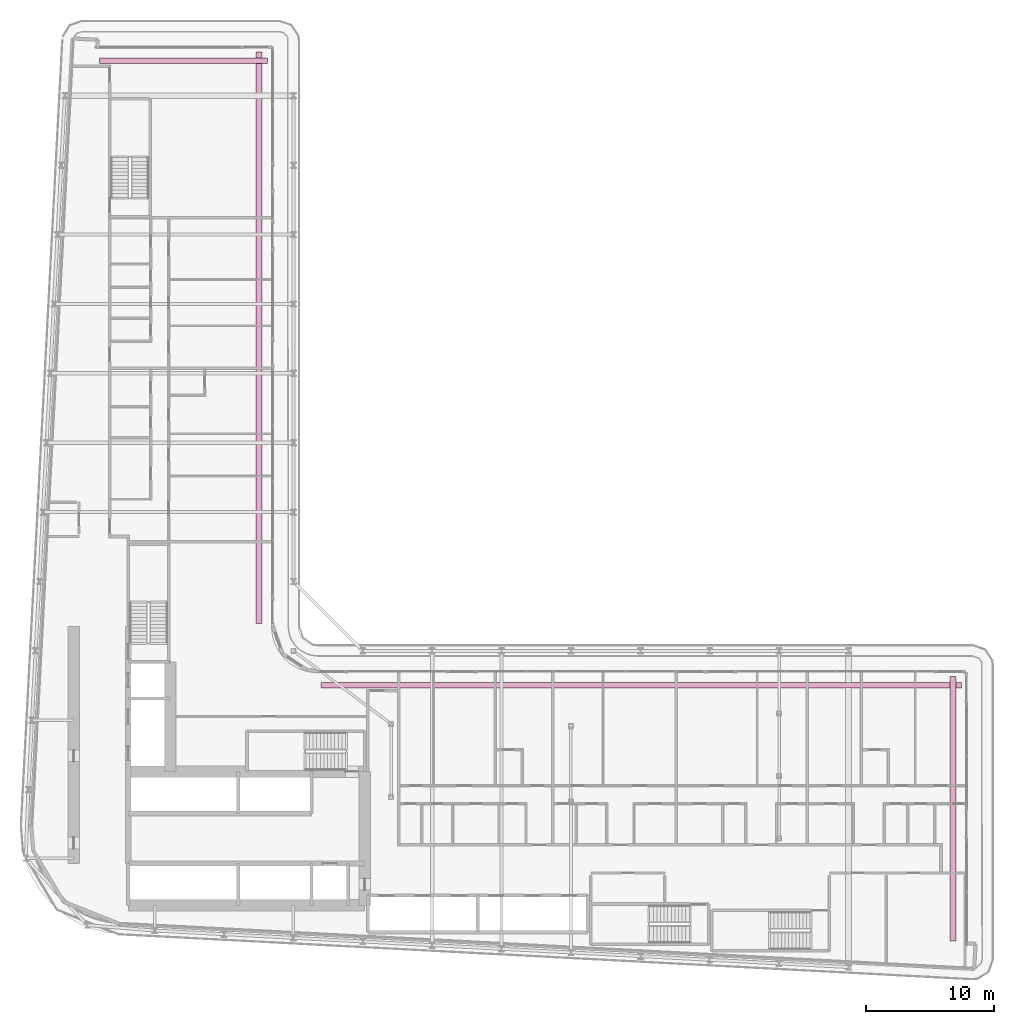
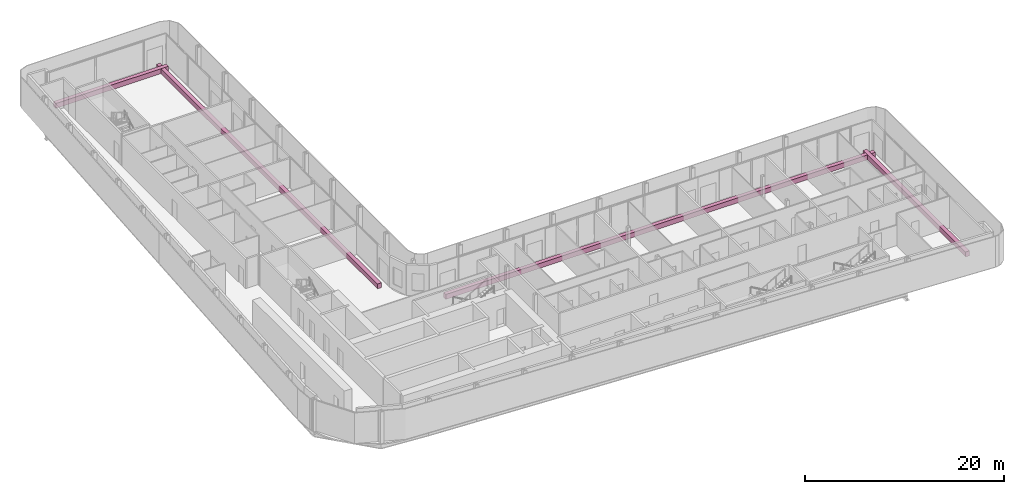
# One storey, part 26 of 26: 4 furniture elements.
"""IFC4 building model written with IfcOpenShell, lengths in metres."""

from ifc_helpers import new_model, si_unit, direction, frame, origin, origin_2d, place, context, subcontext, project, spatial, rectangle, extrude, material, type_object, element, save


model = new_model("IFC4")

# Units and contexts
model_context = context("Model", 3, precision=1e-05, world=origin(), true_north=direction((0.0, 1.0)))
body_context = subcontext(model_context, "Body", "Model", "MODEL_VIEW")
ifc_project = project(units=[si_unit("LENGTHUNIT", "METRE"), si_unit("AREAUNIT", "SQUARE_METRE"), si_unit("VOLUMEUNIT", "CUBIC_METRE"), si_unit("PLANEANGLEUNIT", "RADIAN"), si_unit("MASSUNIT", "GRAM", prefix="KILO")], contexts=[model_context])

# Site, building, storey
site_placement = place(None, origin())
site = spatial("IfcSite", under=ifc_project, at=site_placement, CompositionType="ELEMENT")
building_placement = place(site_placement, origin())
building = spatial("IfcBuilding", under=site, at=building_placement, Name="Kheshtan School and Residences Tower", CompositionType="ELEMENT")
storey_placement = place(building_placement, frame((0.0, 0.0, 105.800048828125)))
storey = spatial("IfcBuildingStorey", under=building, at=storey_placement, Name="L24", CompositionType="ELEMENT", Elevation=105.800048828125)

# Furniture
ifc_material = material(Name="Precast concrete C30/37 in terracotta finish", Category="masonry")
furniture_type = type_object("IfcFurnitureType", Name="Planter trough", AssemblyPlace="NOTDEFINED", PredefinedType="USERDEFINED", material=ifc_material)
furniture_1_placement = place(storey_placement, frame((39.053955078125, 91.52490234375, 0.0), z_axis=(0.0, 0.0, 1.0), x_axis=(1.0, 0.0, 0.0)))
element("IfcFurniture", 1, at=furniture_1_placement, inside=storey, type_object=furniture_type, Name="Planter L24", ObjectType="PLANTER", PredefinedType="USERDEFINED", context=body_context, shape_type="SweptSolid", body=[
    extrude(rectangle(XDim=13.092041015625, YDim=0.449951171875, at=origin_2d()), origin(), (0.0, 0.0, 1.0), 0.60009765625),
])
furniture_2_placement = place(storey_placement, frame((44.925048828125, 69.965087890625, 0.0), z_axis=(0.0, 0.0, 1.0), x_axis=(0.0, -1.0, 0.0)))
element("IfcFurniture", 2, at=furniture_2_placement, inside=storey, type_object=furniture_type, Name="Planter L24", ObjectType="PLANTER", PredefinedType="USERDEFINED", context=body_context, shape_type="SweptSolid", body=[
    extrude(rectangle(XDim=44.469970703125, YDim=0.449951171875, at=origin_2d()), origin(), (0.0, 0.0, 1.0), 0.60009765625),
])
furniture_3_placement = place(storey_placement, frame((74.6650390625, 42.925048828125, 0.0), z_axis=(0.0, 0.0, 1.0), x_axis=(1.0, 0.0, 0.0)))
element("IfcFurniture", 3, at=furniture_3_placement, inside=storey, type_object=furniture_type, Name="Planter L24", ObjectType="PLANTER", PredefinedType="USERDEFINED", context=body_context, shape_type="SweptSolid", body=[
    extrude(rectangle(XDim=49.8701171875, YDim=0.449951171875, at=origin_2d()), origin(), (0.0, 0.0, 1.0), 0.60009765625),
])
furniture_4_placement = place(storey_placement, frame((98.925048828125, 33.306884765625, 0.0), z_axis=(0.0, 0.0, 1.0), x_axis=(0.0, -1.0, 0.0)))
element("IfcFurniture", 4, at=furniture_4_placement, inside=storey, type_object=furniture_type, Name="Planter L24", ObjectType="PLANTER", PredefinedType="USERDEFINED", context=body_context, shape_type="SweptSolid", body=[
    extrude(rectangle(XDim=20.5859375, YDim=0.449951171875, at=origin_2d()), origin(), (0.0, 0.0, 1.0), 0.60009765625),
])

save(model, "model.ifc")
